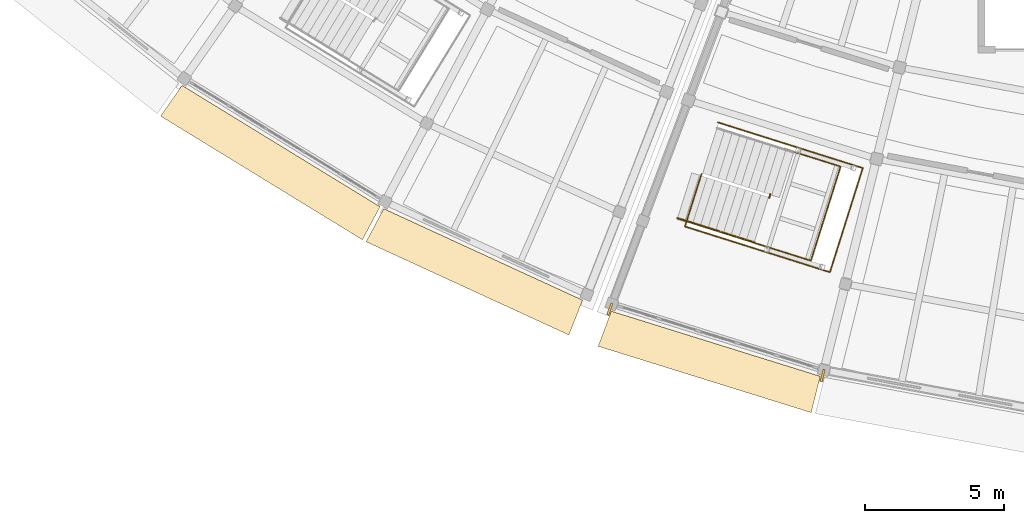
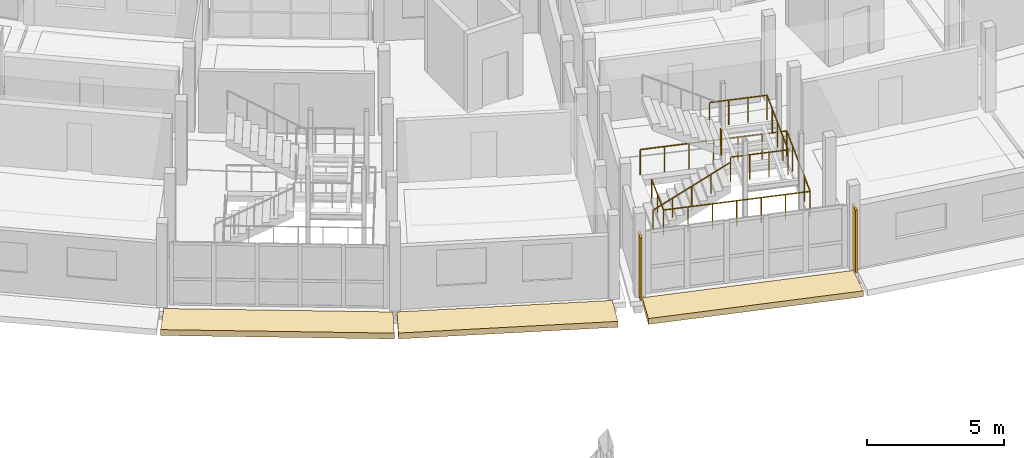
# One storey, part 66 of 77: 4 railings, 3 coverings, 2 shading devices.
"""IFC4 building model written with IfcOpenShell, lengths in metres."""

from ifc_helpers import new_model, si_unit, direction, frame, origin, origin_2d, place, context, subcontext, project, spatial, polyline, rectangle, circle, outline, extrude, material, layer, layer_set, type_object, element, save


model = new_model("IFC4")

# Units and contexts
model_context = context("Model", 3, precision=1e-05, world=origin(), true_north=direction((0.0, 1.0)))
body_context = subcontext(model_context, "Body", "Model", "MODEL_VIEW")
ifc_project = project(units=[si_unit("LENGTHUNIT", "METRE"), si_unit("AREAUNIT", "SQUARE_METRE"), si_unit("VOLUMEUNIT", "CUBIC_METRE"), si_unit("PLANEANGLEUNIT", "RADIAN"), si_unit("MASSUNIT", "GRAM", prefix="KILO")], contexts=[model_context])

# Site, building, storey
site_placement = place(None, origin())
site = spatial("IfcSite", under=ifc_project, at=site_placement, CompositionType="ELEMENT")
building_placement = place(site_placement, origin())
building = spatial("IfcBuilding", under=site, at=building_placement, Name="Caldaven Crescent School", CompositionType="ELEMENT")
storey_placement = place(building_placement, frame((0.0, 0.0, 4.419921875)))
storey = spatial("IfcBuildingStorey", under=building, at=storey_placement, Name="L01", CompositionType="ELEMENT", Elevation=4.419921875)

# Coverings
ifc_material_1 = material(Name="White architectural GFRC precast concrete C35/45 cladding", Category="concrete")
ifc_layer_1 = layer(ifc_material_1, 0.260009765625)
ifc_layer_set_1 = layer_set([ifc_layer_1], Name="White architectural GFRC precast concrete C35/45 cladding")
covering_type_1 = type_object("IfcCoveringType", Name="COV-CLD1", PredefinedType="CLADDING", material=ifc_layer_set_1)
covering_1_placement = place(storey_placement, frame((0.0, 0.0, -0.260009765625)))
element("IfcCovering", 1, at=covering_1_placement, inside=storey, type_object=covering_type_1, Name="CLD-OUT-L01-012", PredefinedType="CLADDING", context=body_context, shape_type="SweptSolid", body=[
    extrude(outline(polyline([(63.503662109375, 30.6396484375), (71.04296875, 28.291015625), (70.715087890625, 26.9814453125), (63.02978515625, 29.37548828125), (63.503662109375, 30.6396484375)])), origin(), (0.0, 0.0, 1.0), 0.260009765625),
])
ifc_layer_2 = layer(ifc_material_1, 0.260009765625)
ifc_layer_set_2 = layer_set([ifc_layer_2], Name="White architectural GFRC precast concrete C35/45 cladding")
covering_type_2 = type_object("IfcCoveringType", Name="COV-CLD2", PredefinedType="CLADDING", material=ifc_layer_set_2)
covering_2_placement = place(storey_placement, frame((0.0, 0.0, -0.260009765625)))
element("IfcCovering", 2, at=covering_2_placement, inside=storey, type_object=covering_type_2, Name="CLD-OUT-L01-008", PredefinedType="CLADDING", context=body_context, shape_type="SweptSolid", body=[
    extrude(outline(polyline([(48.024169921875, 38.78125), (55.166259765625, 34.404541015625), (54.53125, 33.21337890625), (47.2509765625, 37.674560546875), (48.024169921875, 38.78125)])), origin(), (0.0, 0.0, 1.0), 0.260009765625),
])
covering_3_placement = place(storey_placement, frame((0.0, 0.0, -0.260009765625)))
element("IfcCovering", 3, at=covering_3_placement, inside=storey, type_object=covering_type_2, Name="CLD-OUT-L01-010", PredefinedType="CLADDING", context=body_context, shape_type="SweptSolid", body=[
    extrude(outline(polyline([(55.29541015625, 34.3359375), (62.4697265625, 31.03662109375), (61.97607421875, 29.780029296875), (54.662841796875, 33.143310546875), (55.29541015625, 34.3359375)])), origin(), (0.0, 0.0, 1.0), 0.260009765625),
])

# Railings
ifc_material_2 = material(Name="Brushed stainless-steel continuous tubular handrail", Category="steel")
railing_type_1 = type_object("IfcRailingType", Name="RAL-HR1", PredefinedType="HANDRAIL", material=ifc_material_2)
railing_1_placement = place(storey_placement, frame((65.89111328125, 33.993408203125, 0.173095703125)))
element("IfcRailing", 4, at=railing_1_placement, inside=storey, type_object=railing_type_1, Name="HR-ST2-L01-F1", PredefinedType="HANDRAIL", context=body_context, shape_type="SweptSolid", body=[
    extrude(circle(Radius=0.02392578125, at=origin_2d()), frame((0.0, 0.0, 0.85595703125), z_axis=(0.822759414235, -0.259436496085, 0.50572685393), x_axis=(0.300728414298, 0.953709820036, 0.0)), (0.0, 0.0, 1.0), 3.361328125),
    extrude(circle(Radius=0.02099609375, at=origin_2d()), origin(), (0.0, 0.0, 1.0), 0.831787109375),
    extrude(circle(Radius=0.02099609375, at=origin_2d()), frame((0.69140625, -0.218017578125, 0.425048828125)), (0.0, 0.0, 1.0), 0.831787109375),
    extrude(circle(Radius=0.02099609375, at=origin_2d()), frame((1.3828125, -0.43603515625, 0.85009765625)), (0.0, 0.0, 1.0), 0.831787109375),
    extrude(circle(Radius=0.02099609375, at=origin_2d()), frame((2.07421875, -0.654052734375, 1.27490234375)), (0.0, 0.0, 1.0), 0.831787109375),
    extrude(circle(Radius=0.02099609375, at=origin_2d()), frame((2.765625, -0.8720703125, 1.699951171875)), (0.0, 0.0, 1.0), 0.831787109375),
])
ifc_material_3 = material(Name="Powder-coated tubular steel balustrade ASTM A572 Grade 50", Category="steel")
railing_type_2 = type_object("IfcRailingType", Name="RAL-INT2", PredefinedType="BALUSTRADE", material=ifc_material_3)
railing_2_placement = place(storey_placement, frame((68.65234375, 33.107177734375, 1.8701171875)))
element("IfcRailing", 5, at=railing_2_placement, inside=storey, type_object=railing_type_2, Name="GD-LND-ST2-L01", PredefinedType="BALUSTRADE", context=body_context, shape_type="SweptSolid", body=[
    extrude(circle(Radius=0.02392578125, at=origin_2d()), frame((0.0, 0.0, 1.09619140625), z_axis=(0.953723285408, -0.300685707794, 0.0), x_axis=(0.300685707794, 0.953723285408, 0.0)), (0.0, 0.0, 1.0), 2.150146484375),
    extrude(circle(Radius=0.02392578125, at=origin_2d()), frame((2.050537109375, -0.646484375, 1.09619140625), z_axis=(0.300671803588, 0.953727668953, 0.0), x_axis=(-0.953727668953, 0.300671803588, 0.0)), (0.0, 0.0, 1.0), 3.559814453125),
    extrude(circle(Radius=0.02392578125, at=origin_2d()), frame((3.120849609375, 2.74853515625, 1.09619140625), z_axis=(-0.953680442686, 0.300821563786, 0.0), x_axis=(-0.300821563786, -0.953680442686, 0.0)), (0.0, 0.0, 1.0), 2.14990234375),
    extrude(circle(Radius=0.02099609375, at=origin_2d()), origin(), (0.0, 0.0, 1.0), 1.072021484375),
    extrude(circle(Radius=0.02099609375, at=origin_2d()), frame((0.68359375, -0.215576171875, 0.0)), (0.0, 0.0, 1.0), 1.072021484375),
    extrude(circle(Radius=0.02099609375, at=origin_2d()), frame((1.366943359375, -0.430908203125, 0.0)), (0.0, 0.0, 1.0), 1.072021484375),
    extrude(circle(Radius=0.02099609375, at=origin_2d()), frame((2.050537109375, -0.646484375, 0.0)), (0.0, 0.0, 1.0), 1.072021484375),
    extrude(circle(Radius=0.02099609375, at=origin_2d()), frame((2.318115234375, 0.2021484375, 0.0)), (0.0, 0.0, 1.0), 1.072021484375),
    extrude(circle(Radius=0.02099609375, at=origin_2d()), frame((2.585693359375, 1.051025390625, 0.0)), (0.0, 0.0, 1.0), 1.072021484375),
    extrude(circle(Radius=0.02099609375, at=origin_2d()), frame((2.853271484375, 1.89990234375, 0.0)), (0.0, 0.0, 1.0), 1.072021484375),
    extrude(circle(Radius=0.02099609375, at=origin_2d()), frame((3.120849609375, 2.74853515625, 0.0)), (0.0, 0.0, 1.0), 1.072021484375),
    extrude(circle(Radius=0.02099609375, at=origin_2d()), frame((2.4375, 2.964111328125, 0.0)), (0.0, 0.0, 1.0), 1.072021484375),
    extrude(circle(Radius=0.02099609375, at=origin_2d()), frame((1.75390625, 3.1796875, 0.0)), (0.0, 0.0, 1.0), 1.072021484375),
    extrude(circle(Radius=0.02099609375, at=origin_2d()), frame((1.070556640625, 3.395263671875, 0.0)), (0.0, 0.0, 1.0), 1.072021484375),
])
railing_3_placement = place(storey_placement, frame((69.195068359375, 34.72900390625, 1.8701171875)))
element("IfcRailing", 6, at=railing_3_placement, inside=storey, type_object=railing_type_2, Name="GD-SLT-ST2-L01", PredefinedType="BALUSTRADE", context=body_context, shape_type="SweptSolid", body=[
    extrude(circle(Radius=0.02392578125, at=origin_2d()), frame((0.0, 0.0, 1.09619140625), z_axis=(0.301548442872, 0.953450856941, 0.0), x_axis=(-0.953450856941, 0.301548442872, 0.0)), (0.0, 0.0, 1.0), 0.14013671875),
    extrude(circle(Radius=0.02099609375, at=origin_2d()), origin(), (0.0, 0.0, 1.0), 1.072021484375),
    extrude(circle(Radius=0.02099609375, at=origin_2d()), frame((0.042236328125, 0.133544921875, 0.0)), (0.0, 0.0, 1.0), 1.072021484375),
])
railing_type_3 = type_object("IfcRailingType", Name="RAL-INT3", PredefinedType="BALUSTRADE", material=ifc_material_3)
railing_4_placement = place(storey_placement, frame((66.759765625, 35.59130859375, 0.0)))
element("IfcRailing", 7, at=railing_4_placement, inside=storey, type_object=railing_type_3, Name="GD-WELL-ST2-L01", PredefinedType="BALUSTRADE", context=body_context, shape_type="SweptSolid", body=[
    extrude(circle(Radius=0.02392578125, at=origin_2d()), frame((0.0, 0.0, 1.1259765625), z_axis=(-0.30080256489, -0.953686435342, 0.0), x_axis=(0.953686435342, -0.30080256489, 0.0)), (0.0, 0.0, 1.0), 1.990234375),
    extrude(circle(Radius=0.02392578125, at=origin_2d()), frame((-0.5986328125, -1.89794921875, 1.1259765625), z_axis=(0.953722555557, -0.300688022746, 0.0), x_axis=(0.300688022746, 0.953722555557, 0.0)), (0.0, 0.0, 1.0), 5.482177734375),
    extrude(circle(Radius=0.02392578125, at=origin_2d()), frame((4.6298828125, -3.54638671875, 1.1259765625), z_axis=(0.300662756679, 0.953730521031, 0.0), x_axis=(-0.953730521031, 0.300662756679, 0.0)), (0.0, 0.0, 1.0), 3.93994140625),
    extrude(circle(Radius=0.02392578125, at=origin_2d()), frame((5.814453125, 0.211181640625, 1.1259765625), z_axis=(-0.953718528909, 0.300700794172, 0.0), x_axis=(-0.300700794172, -0.953718528909, 0.0)), (0.0, 0.0, 1.0), 5.48193359375),
    extrude(circle(Radius=0.02099609375, at=origin_2d()), origin(), (0.0, 0.0, 1.0), 1.101806640625),
    extrude(circle(Radius=0.02099609375, at=origin_2d()), frame((-0.29931640625, -0.948974609375, 0.0)), (0.0, 0.0, 1.0), 1.101806640625),
    extrude(circle(Radius=0.02099609375, at=origin_2d()), frame((-0.5986328125, -1.89794921875, 0.0)), (0.0, 0.0, 1.0), 1.101806640625),
    extrude(circle(Radius=0.02099609375, at=origin_2d()), frame((0.272705078125, -2.172607421875, 0.0)), (0.0, 0.0, 1.0), 1.101806640625),
    extrude(circle(Radius=0.02099609375, at=origin_2d()), frame((1.144287109375, -2.447509765625, 0.0)), (0.0, 0.0, 1.0), 1.101806640625),
    extrude(circle(Radius=0.02099609375, at=origin_2d()), frame((2.015625, -2.72216796875, 0.0)), (0.0, 0.0, 1.0), 1.101806640625),
    extrude(circle(Radius=0.02099609375, at=origin_2d()), frame((2.886962890625, -2.996826171875, 0.0)), (0.0, 0.0, 1.0), 1.101806640625),
    extrude(circle(Radius=0.02099609375, at=origin_2d()), frame((3.758544921875, -3.271728515625, 0.0)), (0.0, 0.0, 1.0), 1.101806640625),
    extrude(circle(Radius=0.02099609375, at=origin_2d()), frame((4.6298828125, -3.54638671875, 0.0)), (0.0, 0.0, 1.0), 1.101806640625),
    extrude(circle(Radius=0.02099609375, at=origin_2d()), frame((4.926025390625, -2.60693359375, 0.0)), (0.0, 0.0, 1.0), 1.101806640625),
    extrude(circle(Radius=0.02099609375, at=origin_2d()), frame((5.22216796875, -1.66748046875, 0.0)), (0.0, 0.0, 1.0), 1.101806640625),
    extrude(circle(Radius=0.02099609375, at=origin_2d()), frame((5.518310546875, -0.728271484375, 0.0)), (0.0, 0.0, 1.0), 1.101806640625),
    extrude(circle(Radius=0.02099609375, at=origin_2d()), frame((5.814453125, 0.211181640625, 0.0)), (0.0, 0.0, 1.0), 1.101806640625),
    extrude(circle(Radius=0.02099609375, at=origin_2d()), frame((4.943115234375, 0.48583984375, 0.0)), (0.0, 0.0, 1.0), 1.101806640625),
    extrude(circle(Radius=0.02099609375, at=origin_2d()), frame((4.07177734375, 0.7607421875, 0.0)), (0.0, 0.0, 1.0), 1.101806640625),
    extrude(circle(Radius=0.02099609375, at=origin_2d()), frame((3.2001953125, 1.035400390625, 0.0)), (0.0, 0.0, 1.0), 1.101806640625),
    extrude(circle(Radius=0.02099609375, at=origin_2d()), frame((2.328857421875, 1.31005859375, 0.0)), (0.0, 0.0, 1.0), 1.101806640625),
    extrude(circle(Radius=0.02099609375, at=origin_2d()), frame((1.45751953125, 1.5849609375, 0.0)), (0.0, 0.0, 1.0), 1.101806640625),
    extrude(circle(Radius=0.02099609375, at=origin_2d()), frame((0.586181640625, 1.859619140625, 0.0)), (0.0, 0.0, 1.0), 1.101806640625),
])

# Shading devices
ifc_material_4 = material(Name="Bronze-anodised aluminium AA 6063-T6 sunshade", Category="aluminium")
ifc_layer_3 = layer(ifc_material_4, 0.080078125)
ifc_layer_set_3 = layer_set([ifc_layer_3], Name="Bronze-anodised aluminium AA 6063-T6 sunshade")
shading_device_type = type_object("IfcShadingDeviceType", Name="SHD-S04", PredefinedType="JALOUSIE", material=ifc_layer_set_3)
for number, where, z_axis, x_axis, name in (
    (8, (63.452880859375, 30.712158203125, 0.0), (0.0, 0.0, 1.0), (-0.352005016254, -0.93599811353, 0.0), "SHD-FIN-L01-007"),
    (9, (71.1259765625, 28.32177734375, 0.0), (0.0, 0.0, 1.0), (-0.2419218956, -0.970295726276, 0.0), "SHD-FIN-L01-009"),
):
    element("IfcShadingDevice", number, at=place(storey_placement, frame(where, z_axis=z_axis, x_axis=x_axis)), inside=storey, type_object=shading_device_type, Name=name, PredefinedType="JALOUSIE", context=body_context, shape_type="SweptSolid", body=[
        extrude(rectangle(XDim=0.449951171875, YDim=0.080078125, at=origin_2d()), origin(), (0.0, 0.0, 1.0), 2.780029296875),
    ])

save(model, "model.ifc")
